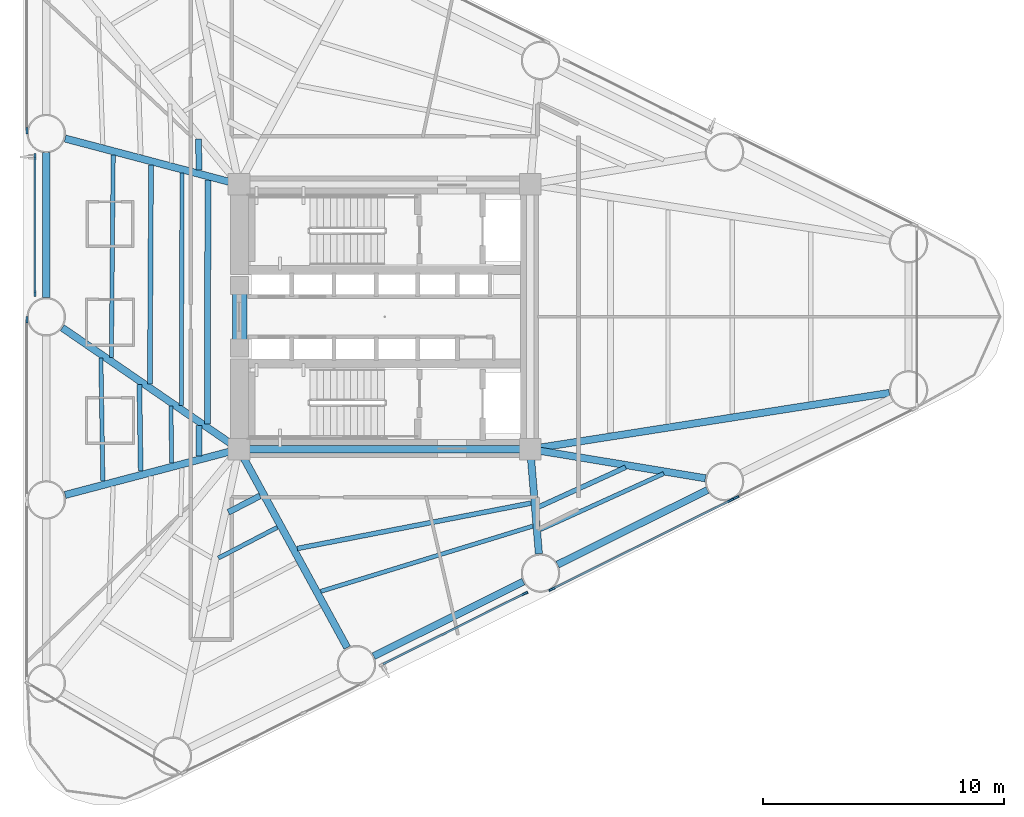
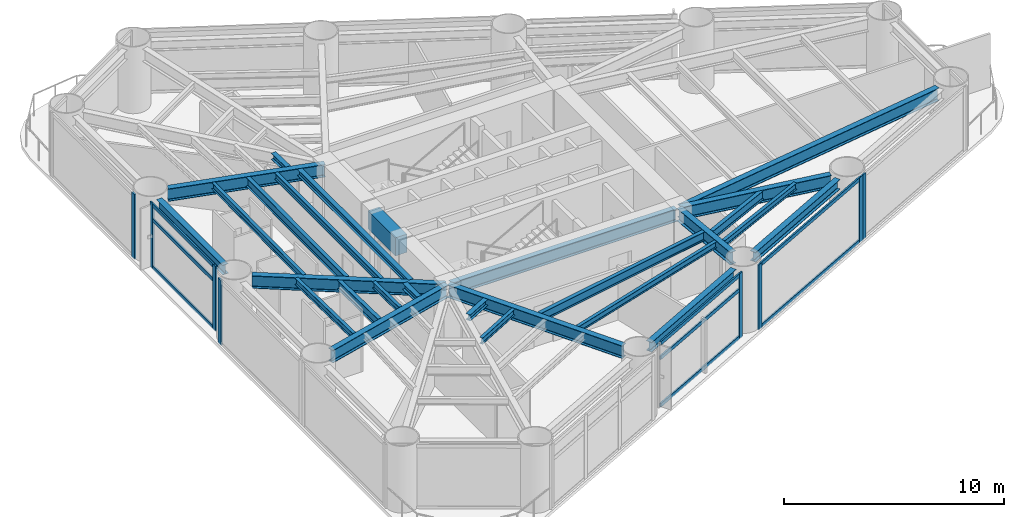
# One storey, part 2 of 10: 27 beams, 16 members, 6 elements without a shape of their own.
"""IFC4 building model written with IfcOpenShell, lengths in metres."""

from ifc_helpers import new_model, si_unit, direction, frame, origin, origin_2d, place, context, subcontext, project, spatial, rectangle, i_section, extrude, source, transform, mapped, material, layer, layer_set, material_profile, profile_set, type_object, element, aggregate, save


model = new_model("IFC4")

# Units and contexts
model_context = context("Model", 3, precision=1e-05, world=origin(), true_north=direction((0.0, 1.0)))
body_context = subcontext(model_context, "Body", "Model", "MODEL_VIEW")
ifc_project = project(units=[si_unit("LENGTHUNIT", "METRE"), si_unit("AREAUNIT", "SQUARE_METRE"), si_unit("VOLUMEUNIT", "CUBIC_METRE"), si_unit("PLANEANGLEUNIT", "RADIAN"), si_unit("MASSUNIT", "GRAM", prefix="KILO")], contexts=[model_context])

# Site, building, storey
site_placement = place(None, origin())
site = spatial("IfcSite", under=ifc_project, at=site_placement, CompositionType="ELEMENT")
building_placement = place(site_placement, origin())
building = spatial("IfcBuilding", under=site, at=building_placement, Name="Yunling Apex Tower", CompositionType="ELEMENT")
storey_placement = place(building_placement, frame((0.0, 0.0, 27.5)))
storey = spatial("IfcBuildingStorey", under=building, at=storey_placement, Name="L08", CompositionType="ELEMENT", Elevation=27.5)

# Beams
ifc_material_1 = material(Name="Concrete C60", Category="concrete")
ifc_material_profile_1 = material_profile(ifc_material_1, rectangle(XDim=0.60009765625, YDim=1.0, at=origin_2d()))
ifc_profile_set_1 = profile_set([ifc_material_profile_1], Name="Concrete C60")
beam_type_1 = type_object("IfcBeamType", Name="BC-CPL-1", PredefinedType="BEAM", material=ifc_profile_set_1)
shared_shape_1 = source(origin(), body_context, "Body", "SweptSolid", [
    extrude(rectangle(XDim=0.60009765625, YDim=1.0, at=origin_2d()), origin(), (0.0, 0.0, 1.0), 2.5),
])
beam_1_placement = place(storey_placement, frame((-6.02490234375, -1.25, 3.014892578125), z_axis=(0.0, 1.0, 0.0), x_axis=(-1.0, 0.0, 0.0)))
element("IfcBeam", 1, at=beam_1_placement, inside=storey, type_object=beam_type_1, Name="L08 Core West Portal Coupling Beam", PredefinedType="BEAM", context=body_context, shape_type="MappedRepresentation", body=[
    mapped(shared_shape_1, transform((0.0, 0.0, 0.0), scale=1.0)),
])
ifc_material_2 = material(Name="Steel Q355B", Category="steel")
ifc_material_profile_2 = material_profile(ifc_material_2, i_section(OverallWidth=0.300048828125, OverallDepth=0.699951171875, WebThickness=0.012939453125, FlangeThickness=0.02392578125, FilletRadius=0.02587890625, at=origin_2d()))
ifc_profile_set_2 = profile_set([ifc_material_profile_2], Name="Steel Q355B")
beam_type_2 = type_object("IfcBeamType", Name="BG-PRI-3", PredefinedType="USERDEFINED", material=ifc_profile_set_2)
shared_shape_2 = source(origin(), body_context, "Body", "SweptSolid", [
    extrude(i_section(OverallWidth=0.300048828125, OverallDepth=0.699951171875, WebThickness=0.012939453125, FlangeThickness=0.02392578125, FilletRadius=0.02587890625, at=origin_2d()), origin(), (0.0, 0.0, 1.0), 11.7998046875),
])
beam_2_placement = place(storey_placement, frame((-5.89990234375, -5.5, 3.1650390625), z_axis=(1.0, 0.0, 0.0), x_axis=(0.0, 1.0, 0.0)))
element("IfcBeam", 2, at=beam_2_placement, inside=storey, type_object=beam_type_2, Name="L08 Core Ring Tie Beam 1", ObjectType="GIRDER", PredefinedType="USERDEFINED", context=body_context, shape_type="MappedRepresentation", body=[
    mapped(shared_shape_2, transform((0.0, 0.0, 0.0), scale=1.0)),
])
ifc_material_profile_3 = material_profile(ifc_material_2, i_section(OverallWidth=0.300048828125, OverallDepth=0.5400390625, WebThickness=0.011962890625, FlangeThickness=0.02001953125, FilletRadius=0.02392578125, at=origin_2d()))
ifc_profile_set_3 = profile_set([ifc_material_profile_3], Name="Steel Q355B")
beam_type_3 = type_object("IfcBeamType", Name="BP-SPN-1", PredefinedType="SPANDREL", material=ifc_profile_set_3)
shared_shape_3 = source(origin(), body_context, "Body", "SweptSolid", [
    extrude(i_section(OverallWidth=0.300048828125, OverallDepth=0.5400390625, WebThickness=0.011962890625, FlangeThickness=0.02001953125, FilletRadius=0.02392578125, at=origin_2d()), origin(), (0.0, 0.0, 1.0), 6.950927734375),
])
beam_3_placement = place(storey_placement, frame((-0.456298828125, -14.099365234375, 3.2451171875), z_axis=(0.895247556401, 0.445569088646, 0.0), x_axis=(-0.445569088646, 0.895247556401, 0.0)))
element("IfcBeam", 3, at=beam_3_placement, inside=storey, type_object=beam_type_3, Name="L08 Perimeter Spandrel Beam 2", PredefinedType="SPANDREL", context=body_context, shape_type="MappedRepresentation", body=[
    mapped(shared_shape_3, transform((0.0, 0.0, 0.0), scale=1.0)),
])
shared_shape_4 = source(origin(), body_context, "Body", "SweptSolid", [
    extrude(i_section(OverallWidth=0.300048828125, OverallDepth=0.5400390625, WebThickness=0.011962890625, FlangeThickness=0.02001953125, FilletRadius=0.02392578125, at=origin_2d()), origin(), (0.0, 0.0, 1.0), 6.95068359375),
])
beam_4_placement = place(storey_placement, frame((7.188232421875, -10.29443359375, 3.2451171875), z_axis=(0.895254593944, 0.445554948375, 0.0), x_axis=(-0.445554948375, 0.895254593944, 0.0)))
element("IfcBeam", 4, at=beam_4_placement, inside=storey, type_object=beam_type_3, Name="L08 Perimeter Spandrel Beam 3", PredefinedType="SPANDREL", context=body_context, shape_type="MappedRepresentation", body=[
    mapped(shared_shape_4, transform((0.0, 0.0, 0.0), scale=1.0)),
])
shared_shape_5 = source(origin(), body_context, "Body", "SweptSolid", [
    extrude(i_section(OverallWidth=0.300048828125, OverallDepth=0.5400390625, WebThickness=0.011962890625, FlangeThickness=0.02001953125, FilletRadius=0.02392578125, at=origin_2d()), origin(), (0.0, 0.0, 1.0), 6.021484375),
])
beam_5_placement = place(storey_placement, frame((-14.052001953125, 6.8154296875, 3.2451171875), z_axis=(0.0, -1.0, 0.0), x_axis=(1.0, 0.0, 0.0)))
element("IfcBeam", 5, at=beam_5_placement, inside=storey, type_object=beam_type_3, Name="L08 Perimeter Spandrel Beam 12", PredefinedType="SPANDREL", context=body_context, shape_type="MappedRepresentation", body=[
    mapped(shared_shape_5, transform((0.0, 0.0, 0.0), scale=1.0)),
])
shared_shape_6 = source(origin(), body_context, "Body", "SweptSolid", [
    extrude(i_section(OverallWidth=0.300048828125, OverallDepth=0.699951171875, WebThickness=0.012939453125, FlangeThickness=0.02392578125, FilletRadius=0.02587890625, at=origin_2d()), origin(), (0.0, 0.0, 1.0), 9.31005859375),
])
beam_6_placement = place(storey_placement, frame((-1.553955078125, -13.74365234375, 3.1650390625), z_axis=(-0.478817221141, 0.877914613581, 0.0), x_axis=(-0.877914613581, -0.478817221141, 0.0)))
element("IfcBeam", 6, at=beam_6_placement, inside=storey, type_object=beam_type_2, Name="L08 Radial Primary Girder R02", ObjectType="GIRDER", PredefinedType="USERDEFINED", context=body_context, shape_type="MappedRepresentation", body=[
    mapped(shared_shape_6, transform((0.0, 0.0, 0.0), scale=1.0)),
])
shared_shape_7 = source(origin(), body_context, "Body", "SweptSolid", [
    extrude(i_section(OverallWidth=0.300048828125, OverallDepth=0.699951171875, WebThickness=0.012939453125, FlangeThickness=0.02392578125, FilletRadius=0.02587890625, at=origin_2d()), origin(), (0.0, 0.0, 1.0), 4.278076171875),
])
beam_7_placement = place(storey_placement, frame((6.41064453125, -9.843017578125, 3.1650390625), z_axis=(-0.082747937789, 0.996570508691, 0.0), x_axis=(-0.996570508691, -0.082747937789, 0.0)))
element("IfcBeam", 7, at=beam_7_placement, inside=storey, type_object=beam_type_2, Name="L08 Radial Primary Girder R03", ObjectType="GIRDER", PredefinedType="USERDEFINED", context=body_context, shape_type="MappedRepresentation", body=[
    mapped(shared_shape_7, transform((0.0, 0.0, 0.0), scale=1.0)),
])
shared_shape_8 = source(origin(), body_context, "Body", "SweptSolid", [
    extrude(i_section(OverallWidth=0.300048828125, OverallDepth=0.699951171875, WebThickness=0.012939453125, FlangeThickness=0.02392578125, FilletRadius=0.02587890625, at=origin_2d()), origin(), (0.0, 0.0, 1.0), 7.294921875),
])
beam_8_placement = place(storey_placement, frame((13.32470703125, -6.7109375, 3.1650390625), z_axis=(-0.98642827455, 0.164192750049, 0.0), x_axis=(-0.164192750049, -0.98642827455, 0.0)))
element("IfcBeam", 8, at=beam_8_placement, inside=storey, type_object=beam_type_2, Name="L08 Radial Primary Girder R04", ObjectType="GIRDER", PredefinedType="USERDEFINED", context=body_context, shape_type="MappedRepresentation", body=[
    mapped(shared_shape_8, transform((0.0, 0.0, 0.0), scale=1.0)),
])
shared_shape_9 = source(origin(), body_context, "Body", "SweptSolid", [
    extrude(i_section(OverallWidth=0.300048828125, OverallDepth=0.699951171875, WebThickness=0.012939453125, FlangeThickness=0.02392578125, FilletRadius=0.02587890625, at=origin_2d()), origin(), (0.0, 0.0, 1.0), 15.02001953125),
])
beam_9_placement = place(storey_placement, frame((20.968017578125, -3.163818359375, 3.1650390625), z_axis=(-0.987959991473, -0.154709583568, 0.0), x_axis=(0.154709583568, -0.987959991473, 0.0)))
element("IfcBeam", 9, at=beam_9_placement, inside=storey, type_object=beam_type_2, Name="L08 Radial Primary Girder R05", ObjectType="GIRDER", PredefinedType="USERDEFINED", context=body_context, shape_type="MappedRepresentation", body=[
    mapped(shared_shape_9, transform((0.0, 0.0, 0.0), scale=1.0)),
])
shared_shape_10 = source(origin(), body_context, "Body", "SweptSolid", [
    extrude(i_section(OverallWidth=0.300048828125, OverallDepth=0.699951171875, WebThickness=0.012939453125, FlangeThickness=0.02392578125, FilletRadius=0.02587890625, at=origin_2d()), origin(), (0.0, 0.0, 1.0), 7.387451171875),
])
for number, where, z_axis, x_axis, name in (
    (10, (-13.270751953125, 7.403564453125, 3.1650390625), (0.966966571797, -0.25490321502, 0.0), (0.25490321502, 0.966966571797, 0.0), "L08 Radial Primary Girder R12"),
    (11, (-13.270751953125, -7.403564453125, 3.1650390625), (0.966966571797, 0.25490321502, 0.0), (-0.25490321502, 0.966966571797, 0.0), "L08 Radial Primary Girder R14"),
):
    element("IfcBeam", number, at=place(storey_placement, frame(where, z_axis=z_axis, x_axis=x_axis)), inside=storey, type_object=beam_type_2, Name=name, ObjectType="GIRDER", PredefinedType="USERDEFINED", context=body_context, shape_type="MappedRepresentation", body=[
        mapped(shared_shape_10, transform((0.0, 0.0, 0.0), scale=1.0)),
    ])
shared_shape_11 = source(origin(), body_context, "Body", "SweptSolid", [
    extrude(i_section(OverallWidth=0.300048828125, OverallDepth=0.699951171875, WebThickness=0.012939453125, FlangeThickness=0.02392578125, FilletRadius=0.02587890625, at=origin_2d()), origin(), (0.0, 0.0, 1.0), 8.821533203125),
])
beam_10_placement = place(storey_placement, frame((-13.385986328125, -0.457763671875, 3.1650390625), z_axis=(0.824111362877, -0.566427807912, 0.0), x_axis=(0.566427807912, 0.824111362877, 0.0)))
element("IfcBeam", 12, at=beam_10_placement, inside=storey, type_object=beam_type_2, Name="L08 Radial Primary Girder R13", ObjectType="GIRDER", PredefinedType="USERDEFINED", context=body_context, shape_type="MappedRepresentation", body=[
    mapped(shared_shape_11, transform((0.0, 0.0, 0.0), scale=1.0)),
])
ifc_material_profile_4 = material_profile(ifc_material_2, i_section(OverallWidth=0.175048828125, OverallDepth=0.35009765625, WebThickness=0.007080078125, FlangeThickness=0.010986328125, FilletRadius=0.013916015625, at=origin_2d()))
ifc_profile_set_4 = profile_set([ifc_material_profile_4], Name="Steel Q355B")
beam_type_4 = type_object("IfcBeamType", Name="BJ-JST-1", PredefinedType="JOIST", material=ifc_profile_set_4)
shared_shape_12 = source(origin(), body_context, "Body", "SweptSolid", [
    extrude(i_section(OverallWidth=0.175048828125, OverallDepth=0.35009765625, WebThickness=0.007080078125, FlangeThickness=0.010986328125, FilletRadius=0.013916015625, at=origin_2d()), origin(), (0.0, 0.0, 1.0), 2.7548828125),
])
beam_11_placement = place(storey_placement, frame((-6.903076171875, -10.0224609375, 3.340087890625), z_axis=(0.886932237595, 0.461899562584, 0.0), x_axis=(-0.461899562584, 0.886932237595, 0.0)))
element("IfcBeam", 13, at=beam_11_placement, inside=storey, type_object=beam_type_4, Name="L08 Composite Floor Joist BJ3-1", PredefinedType="JOIST", context=body_context, shape_type="MappedRepresentation", body=[
    mapped(shared_shape_12, transform((0.0, 0.0, 0.0), scale=1.0)),
])
ifc_material_profile_5 = material_profile(ifc_material_2, i_section(OverallWidth=0.25, OverallDepth=0.340087890625, WebThickness=0.009033203125, FlangeThickness=0.013916015625, FilletRadius=0.01806640625, at=origin_2d()))
ifc_profile_set_5 = profile_set([ifc_material_profile_5], Name="Steel Q355B")
beam_type_5 = type_object("IfcBeamType", Name="BJ-JST-2", PredefinedType="JOIST", material=ifc_profile_set_5)
shared_shape_13 = source(origin(), body_context, "Body", "SweptSolid", [
    extrude(i_section(OverallWidth=0.25, OverallDepth=0.340087890625, WebThickness=0.009033203125, FlangeThickness=0.013916015625, FilletRadius=0.01806640625, at=origin_2d()), origin(), (0.0, 0.0, 1.0), 1.482421875),
])
beam_12_placement = place(storey_placement, frame((-6.490966796875, -8.12060546875, 3.344970703125), z_axis=(0.888960334438, 0.457984196012, 0.0), x_axis=(-0.457984196012, 0.888960334438, 0.0)))
element("IfcBeam", 14, at=beam_12_placement, inside=storey, type_object=beam_type_5, Name="L08 Composite Floor Joist BJ2-1", PredefinedType="JOIST", context=body_context, shape_type="MappedRepresentation", body=[
    mapped(shared_shape_13, transform((0.0, 0.0, 0.0), scale=1.0)),
])
ifc_material_profile_6 = material_profile(ifc_material_2, i_section(OverallWidth=0.199951171875, OverallDepth=0.5, WebThickness=0.010009765625, FlangeThickness=0.01611328125, FilletRadius=0.02001953125, at=origin_2d()))
ifc_profile_set_6 = profile_set([ifc_material_profile_6], Name="Steel Q355B")
beam_type_6 = type_object("IfcBeamType", Name="BS-SEC-2", PredefinedType="BEAM", material=ifc_profile_set_6)
shared_shape_14 = source(origin(), body_context, "Body", "SweptSolid", [
    extrude(i_section(OverallWidth=0.199951171875, OverallDepth=0.5, WebThickness=0.010009765625, FlangeThickness=0.01611328125, FilletRadius=0.02001953125, at=origin_2d()), origin(), (0.0, 0.0, 1.0), 9.883544921875),
])
beam_13_placement = place(storey_placement, frame((-3.625732421875, -9.62646484375, 3.264892578125), z_axis=(0.981653423938, 0.190673950161, 0.0), x_axis=(-0.190673950161, 0.981653423938, 0.0)))
element("IfcBeam", 15, at=beam_13_placement, inside=storey, type_object=beam_type_6, Name="L08 Composite Floor Beam BS-2", PredefinedType="BEAM", context=body_context, shape_type="MappedRepresentation", body=[
    mapped(shared_shape_14, transform((0.0, 0.0, 0.0), scale=1.0)),
])
shared_shape_15 = source(origin(), body_context, "Body", "SweptSolid", [
    extrude(i_section(OverallWidth=0.175048828125, OverallDepth=0.35009765625, WebThickness=0.007080078125, FlangeThickness=0.010986328125, FilletRadius=0.013916015625, at=origin_2d()), origin(), (0.0, 0.0, 1.0), 9.2158203125),
])
beam_14_placement = place(storey_placement, frame((-2.649169921875, -11.407958984375, 3.340087890625), z_axis=(0.955731454849, 0.294240354492, 0.0), x_axis=(-0.294240354492, 0.955731454849, 0.0)))
element("IfcBeam", 16, at=beam_14_placement, inside=storey, type_object=beam_type_4, Name="L08 Composite Floor Joist BJ1-2", PredefinedType="JOIST", context=body_context, shape_type="MappedRepresentation", body=[
    mapped(shared_shape_15, transform((0.0, 0.0, 0.0), scale=1.0)),
])
shared_shape_16 = source(origin(), body_context, "Body", "SweptSolid", [
    extrude(i_section(OverallWidth=0.199951171875, OverallDepth=0.5, WebThickness=0.010009765625, FlangeThickness=0.01611328125, FilletRadius=0.02001953125, at=origin_2d()), origin(), (0.0, 0.0, 1.0), 3.971923828125),
])
beam_15_placement = place(storey_placement, frame((6.400390625, -7.900634765625, 3.264892578125), z_axis=(0.909609234888, 0.415464847858, 0.0), x_axis=(-0.415464847858, 0.909609234888, 0.0)))
element("IfcBeam", 17, at=beam_15_placement, inside=storey, type_object=beam_type_6, Name="L08 Composite Floor Beam BS-3", PredefinedType="BEAM", context=body_context, shape_type="MappedRepresentation", body=[
    mapped(shared_shape_16, transform((0.0, 0.0, 0.0), scale=1.0)),
])
shared_shape_17 = source(origin(), body_context, "Body", "SweptSolid", [
    extrude(i_section(OverallWidth=0.175048828125, OverallDepth=0.35009765625, WebThickness=0.007080078125, FlangeThickness=0.010986328125, FilletRadius=0.013916015625, at=origin_2d()), origin(), (0.0, 0.0, 1.0), 5.62109375),
])
beam_16_placement = place(storey_placement, frame((6.478515625, -8.839111328125, 3.340087890625), z_axis=(0.910411095702, 0.413704770124, 0.0), x_axis=(-0.413704770124, 0.910411095702, 0.0)))
element("IfcBeam", 18, at=beam_16_placement, inside=storey, type_object=beam_type_4, Name="L08 Composite Floor Joist BJ1-3", PredefinedType="JOIST", context=body_context, shape_type="MappedRepresentation", body=[
    mapped(shared_shape_17, transform((0.0, 0.0, 0.0), scale=1.0)),
])
shared_shape_18 = source(origin(), body_context, "Body", "SweptSolid", [
    extrude(i_section(OverallWidth=0.25, OverallDepth=0.340087890625, WebThickness=0.009033203125, FlangeThickness=0.013916015625, FilletRadius=0.01806640625, at=origin_2d()), origin(), (0.0, 0.0, 1.0), 1.294921875),
])
beam_17_placement = place(storey_placement, frame((-7.7333984375, 7.38916015625, 3.344970703125), z_axis=(0.023753431789, -0.999717847434, 0.0), x_axis=(0.999717847434, 0.023753431789, 0.0)))
element("IfcBeam", 19, at=beam_17_placement, inside=storey, type_object=beam_type_5, Name="L08 Composite Floor Joist BJ2-11", PredefinedType="JOIST", context=body_context, shape_type="MappedRepresentation", body=[
    mapped(shared_shape_18, transform((0.0, 0.0, 0.0), scale=1.0)),
])
shared_shape_19 = source(origin(), body_context, "Body", "SweptSolid", [
    extrude(i_section(OverallWidth=0.199951171875, OverallDepth=0.5, WebThickness=0.010009765625, FlangeThickness=0.01611328125, FilletRadius=0.02001953125, at=origin_2d()), origin(), (0.0, 0.0, 1.0), 9.098388671875),
])
beam_18_placement = place(storey_placement, frame((-9.699951171875, 6.302001953125, 3.264892578125), z_axis=(-0.005500909631, -0.999984869882, 0.0), x_axis=(0.999984869882, -0.005500909631, 0.0)))
element("IfcBeam", 20, at=beam_18_placement, inside=storey, type_object=beam_type_6, Name="L08 Composite Floor Beam BS-12", PredefinedType="BEAM", context=body_context, shape_type="MappedRepresentation", body=[
    mapped(shared_shape_19, transform((0.0, 0.0, 0.0), scale=1.0)),
])
shared_shape_20 = source(origin(), body_context, "Body", "SweptSolid", [
    extrude(i_section(OverallWidth=0.175048828125, OverallDepth=0.35009765625, WebThickness=0.007080078125, FlangeThickness=0.010986328125, FilletRadius=0.013916015625, at=origin_2d()), origin(), (0.0, 0.0, 1.0), 8.41357421875),
])
beam_19_placement = place(storey_placement, frame((-11.27197265625, 6.71630859375, 3.340087890625), z_axis=(-0.009169400639, -0.999957960162, 0.0), x_axis=(0.999957960162, -0.009169400639, 0.0)))
element("IfcBeam", 21, at=beam_19_placement, inside=storey, type_object=beam_type_4, Name="L08 Composite Floor Joist BJ1-12", PredefinedType="JOIST", context=body_context, shape_type="MappedRepresentation", body=[
    mapped(shared_shape_20, transform((0.0, 0.0, 0.0), scale=1.0)),
])
shared_shape_21 = source(origin(), body_context, "Body", "SweptSolid", [
    extrude(i_section(OverallWidth=0.175048828125, OverallDepth=0.35009765625, WebThickness=0.007080078125, FlangeThickness=0.010986328125, FilletRadius=0.013916015625, at=origin_2d()), origin(), (0.0, 0.0, 1.0), 9.65869140625),
])
beam_20_placement = place(storey_placement, frame((-8.413818359375, 5.962890625, 3.340087890625), z_axis=(-0.002906817505, -0.999995775197, 0.0), x_axis=(0.999995775197, -0.002906817505, 0.0)))
element("IfcBeam", 22, at=beam_20_placement, inside=storey, type_object=beam_type_4, Name="L08 Composite Floor Joist BJ3-12", PredefinedType="JOIST", context=body_context, shape_type="MappedRepresentation", body=[
    mapped(shared_shape_21, transform((0.0, 0.0, 0.0), scale=1.0)),
])
shared_shape_22 = source(origin(), body_context, "Body", "SweptSolid", [
    extrude(i_section(OverallWidth=0.25, OverallDepth=0.340087890625, WebThickness=0.009033203125, FlangeThickness=0.013916015625, FilletRadius=0.01806640625, at=origin_2d()), origin(), (0.0, 0.0, 1.0), 10.125732421875),
])
beam_21_placement = place(storey_placement, frame((-7.341796875, 5.680419921875, 3.344970703125), z_axis=(-0.000988546835, -0.999999511387, 0.0), x_axis=(0.999999511387, -0.000988546835, 0.0)))
element("IfcBeam", 23, at=beam_21_placement, inside=storey, type_object=beam_type_5, Name="L08 Composite Floor Joist BJ2-12", PredefinedType="JOIST", context=body_context, shape_type="MappedRepresentation", body=[
    mapped(shared_shape_22, transform((0.0, 0.0, 0.0), scale=1.0)),
])
shared_shape_23 = source(origin(), body_context, "Body", "SweptSolid", [
    extrude(i_section(OverallWidth=0.199951171875, OverallDepth=0.5, WebThickness=0.010009765625, FlangeThickness=0.01611328125, FilletRadius=0.02001953125, at=origin_2d()), origin(), (0.0, 0.0, 1.0), 3.59912109375),
])
beam_22_placement = place(storey_placement, frame((-10.184814453125, -2.81640625, 3.264892578125), z_axis=(0.015194989083, -0.999884549489, 0.0), x_axis=(0.999884549489, 0.015194989083, 0.0)))
element("IfcBeam", 24, at=beam_22_placement, inside=storey, type_object=beam_type_6, Name="L08 Composite Floor Beam BS-13", PredefinedType="BEAM", context=body_context, shape_type="MappedRepresentation", body=[
    mapped(shared_shape_23, transform((0.0, 0.0, 0.0), scale=1.0)),
])
shared_shape_24 = source(origin(), body_context, "Body", "SweptSolid", [
    extrude(i_section(OverallWidth=0.175048828125, OverallDepth=0.35009765625, WebThickness=0.007080078125, FlangeThickness=0.010986328125, FilletRadius=0.013916015625, at=origin_2d()), origin(), (0.0, 0.0, 1.0), 5.11279296875),
])
beam_23_placement = place(storey_placement, frame((-11.7841796875, -1.717041015625, 3.340087890625), z_axis=(0.016092285311, -0.999870510793, 0.0), x_axis=(0.999870510793, 0.016092285311, 0.0)))
element("IfcBeam", 25, at=beam_23_placement, inside=storey, type_object=beam_type_4, Name="L08 Composite Floor Joist BJ1-13", PredefinedType="JOIST", context=body_context, shape_type="MappedRepresentation", body=[
    mapped(shared_shape_24, transform((0.0, 0.0, 0.0), scale=1.0)),
])
shared_shape_25 = source(origin(), body_context, "Body", "SweptSolid", [
    extrude(i_section(OverallWidth=0.175048828125, OverallDepth=0.35009765625, WebThickness=0.007080078125, FlangeThickness=0.010986328125, FilletRadius=0.013916015625, at=origin_2d()), origin(), (0.0, 0.0, 1.0), 2.3603515625),
])
beam_24_placement = place(storey_placement, frame((-8.87646484375, -3.7158203125, 3.340087890625), z_axis=(0.013756844339, -0.99990537014, 0.0), x_axis=(0.99990537014, 0.013756844339, 0.0)))
element("IfcBeam", 26, at=beam_24_placement, inside=storey, type_object=beam_type_4, Name="L08 Composite Floor Joist BJ3-13", PredefinedType="JOIST", context=body_context, shape_type="MappedRepresentation", body=[
    mapped(shared_shape_25, transform((0.0, 0.0, 0.0), scale=1.0)),
])
shared_shape_26 = source(origin(), body_context, "Body", "SweptSolid", [
    extrude(i_section(OverallWidth=0.25, OverallDepth=0.340087890625, WebThickness=0.009033203125, FlangeThickness=0.013916015625, FilletRadius=0.01806640625, at=origin_2d()), origin(), (0.0, 0.0, 1.0), 1.25927734375),
])
beam_25_placement = place(storey_placement, frame((-7.713623046875, -4.515380859375, 3.344970703125), z_axis=(0.010274758105, -0.99994721328, 0.0), x_axis=(0.99994721328, 0.010274758105, 0.0)))
element("IfcBeam", 27, at=beam_25_placement, inside=storey, type_object=beam_type_5, Name="L08 Composite Floor Joist BJ2-13", PredefinedType="JOIST", context=body_context, shape_type="MappedRepresentation", body=[
    mapped(shared_shape_26, transform((0.0, 0.0, 0.0), scale=1.0)),
])

# Curtain wall, member
ifc_material_3 = material(Name="Bronze anodised aluminium", Category="aluminium")
ifc_layer = layer(ifc_material_3, 0.260009765625)
ifc_layer_set = layer_set([ifc_layer], Name="Bronze anodised aluminium")
curtain_wall_type = type_object("IfcCurtainWallType", Name="CW-SYS-2", PredefinedType="NOTDEFINED", material=ifc_layer_set)
curtain_wall_1_placement = place(storey_placement, origin())
curtain_wall_1 = element("IfcCurtainWall", 28, at=curtain_wall_1_placement, inside=storey, type_object=curtain_wall_type, Name="CW-L08-F1-B2", PredefinedType="NOTDEFINED")
ifc_material_profile_7 = material_profile(ifc_material_3, rectangle(XDim=0.0849609375, YDim=0.260009765625, at=origin_2d()))
ifc_profile_set_7 = profile_set([ifc_material_profile_7], Name="Bronze anodised aluminium")
member_type_1 = type_object("IfcMemberType", Name="CW-MUL-2", PredefinedType="MULLION", material=ifc_profile_set_7)
shared_shape_27 = source(origin(), body_context, "Body", "SweptSolid", [
    extrude(rectangle(XDim=0.0849609375, YDim=0.260009765625, at=origin_2d()), origin(), (0.0, 0.0, 1.0), 3.614990234375),
])
member_1_placement = place(storey_placement, frame((5.8251953125, -11.498046875, -0.050048828125), z_axis=(0.0, 0.0, 1.0), x_axis=(-0.445582781121, 0.895240741459, 0.0)))
member_1 = element("IfcMember", 29, at=member_1_placement, type_object=member_type_1, Name="CW-SYS-2 mullion 2", PredefinedType="MULLION", context=body_context, shape_type="MappedRepresentation", body=[
    mapped(shared_shape_27, transform((0.0, 0.0, 0.0), scale=1.0)),
])

# Curtain wall, members
curtain_wall_2_placement = place(storey_placement, origin())
curtain_wall_2 = element("IfcCurtainWall", 30, at=curtain_wall_2_placement, inside=storey, type_object=curtain_wall_type, Name="CW-L08-F1-B3", PredefinedType="NOTDEFINED")
member_2_placement = place(storey_placement, frame((6.947998046875, -11.31884765625, -0.050048828125), z_axis=(0.0, 0.0, 1.0), x_axis=(-0.445570625003, 0.895246791748, 0.0)))
member_2 = element("IfcMember", 31, at=member_2_placement, type_object=member_type_1, Name="CW-SYS-2 mullion 1", PredefinedType="MULLION", context=body_context, shape_type="MappedRepresentation", body=[
    mapped(shared_shape_27, transform((0.0, 0.0, 0.0), scale=1.0)),
])
member_3_placement = place(storey_placement, frame((14.373046875, -7.623291015625, -0.050048828125), z_axis=(0.0, 0.0, 1.0), x_axis=(-0.445570625003, 0.895246791748, 0.0)))
member_3 = element("IfcMember", 32, at=member_3_placement, type_object=member_type_1, Name="CW-SYS-2 mullion 2", PredefinedType="MULLION", context=body_context, shape_type="MappedRepresentation", body=[
    mapped(shared_shape_27, transform((0.0, 0.0, 0.0), scale=1.0)),
])

# Curtain wall, member
curtain_wall_3_placement = place(storey_placement, origin())
curtain_wall_3 = element("IfcCurtainWall", 33, at=curtain_wall_3_placement, inside=storey, type_object=curtain_wall_type, Name="CW-L08-F1-B4", PredefinedType="NOTDEFINED")
member_4_placement = place(storey_placement, frame((14.59228515625, -7.51416015625, -0.050048828125), z_axis=(0.0, 0.0, 1.0), x_axis=(-0.445580190214, 0.895242031011, 0.0)))
member_4 = element("IfcMember", 34, at=member_4_placement, type_object=member_type_1, Name="CW-SYS-2 mullion 1", PredefinedType="MULLION", context=body_context, shape_type="MappedRepresentation", body=[
    mapped(shared_shape_27, transform((0.0, 0.0, 0.0), scale=1.0)),
])
aggregate(curtain_wall_3, [member_4])

curtain_wall_4_placement = place(storey_placement, origin())
curtain_wall_4 = element("IfcCurtainWall", 35, at=curtain_wall_4_placement, inside=storey, type_object=curtain_wall_type, Name="CW-L08-F3-B1", PredefinedType="NOTDEFINED")
member_5_placement = place(storey_placement, frame((-14.862060546875, 7.73193359375, -0.050048828125), z_axis=(0.0, 0.0, 1.0), x_axis=(1.0, 0.0, 0.0)))
member_5 = element("IfcMember", 36, at=member_5_placement, type_object=member_type_1, Name="CW-SYS-2 mullion 2", PredefinedType="MULLION", context=body_context, shape_type="MappedRepresentation", body=[
    mapped(shared_shape_27, transform((0.0, 0.0, 0.0), scale=1.0)),
])
aggregate(curtain_wall_4, [member_5])

# Curtain wall, members
curtain_wall_5_placement = place(storey_placement, origin())
curtain_wall_5 = element("IfcCurtainWall", 37, at=curtain_wall_5_placement, inside=storey, type_object=curtain_wall_type, Name="CW-L08-F3-B2", PredefinedType="NOTDEFINED")
member_6_placement = place(storey_placement, frame((-14.52197265625, 6.64697265625, -0.050048828125), z_axis=(0.0, 0.0, 1.0), x_axis=(1.0, 0.0, 0.0)))
member_6 = element("IfcMember", 38, at=member_6_placement, type_object=member_type_1, Name="CW-SYS-2 mullion 1", PredefinedType="MULLION", context=body_context, shape_type="MappedRepresentation", body=[
    mapped(shared_shape_27, transform((0.0, 0.0, 0.0), scale=1.0)),
])
member_7_placement = place(storey_placement, frame((-14.52197265625, 0.96240234375, -0.050048828125), z_axis=(0.0, 0.0, 1.0), x_axis=(1.0, 0.0, 0.0)))
member_7 = element("IfcMember", 39, at=member_7_placement, type_object=member_type_1, Name="CW-SYS-2 mullion 2", PredefinedType="MULLION", context=body_context, shape_type="MappedRepresentation", body=[
    mapped(shared_shape_27, transform((0.0, 0.0, 0.0), scale=1.0)),
])

# Curtain wall, member
curtain_wall_6_placement = place(storey_placement, origin())
curtain_wall_6 = element("IfcCurtainWall", 40, at=curtain_wall_6_placement, inside=storey, type_object=curtain_wall_type, Name="CW-L08-F3-B3", PredefinedType="NOTDEFINED")
member_8_placement = place(storey_placement, frame((-14.862060546875, -0.12255859375, -0.050048828125), z_axis=(0.0, 0.0, 1.0), x_axis=(1.0, 0.0, 0.0)))
member_8 = element("IfcMember", 41, at=member_8_placement, type_object=member_type_1, Name="CW-SYS-2 mullion 1", PredefinedType="MULLION", context=body_context, shape_type="MappedRepresentation", body=[
    mapped(shared_shape_27, transform((0.0, 0.0, 0.0), scale=1.0)),
])
aggregate(curtain_wall_6, [member_8])

# Member
ifc_material_profile_8 = material_profile(ifc_material_3, rectangle(XDim=0.0849609375, YDim=0.199951171875, at=origin_2d()))
ifc_profile_set_8 = profile_set([ifc_material_profile_8], Name="Bronze anodised aluminium")
member_type_2 = type_object("IfcMemberType", Name="CW-TRN-2", PredefinedType="USERDEFINED", material=ifc_profile_set_8)
shared_shape_28 = source(origin(), body_context, "Body", "SweptSolid", [
    extrude(rectangle(XDim=0.0849609375, YDim=0.199951171875, at=origin_2d()), origin(), (0.0, 0.0, 1.0), 8.217529296875),
])
member_9_placement = place(storey_placement, frame((6.982177734375, -11.3017578125, 0.04248046875), z_axis=(0.895251603772, 0.445560956485, 0.0), x_axis=(-0.445560956485, 0.895251603772, 0.0)))
member_9 = element("IfcMember", 42, at=member_9_placement, type_object=member_type_2, Name="CW-SYS-2 transom 1.1", ObjectType="TRANSOM", PredefinedType="USERDEFINED", context=body_context, shape_type="MappedRepresentation", body=[
    mapped(shared_shape_28, transform((0.0, 0.0, 0.0), scale=1.0)),
])

member_10_placement = place(storey_placement, frame((6.982177734375, -11.3017578125, 3.472412109375), z_axis=(0.895251603772, 0.445560956485, 0.0), x_axis=(-0.445560956485, 0.895251603772, 0.0)))
member_10 = element("IfcMember", 43, at=member_10_placement, type_object=member_type_2, Name="CW-SYS-2 transom 1.2", ObjectType="TRANSOM", PredefinedType="USERDEFINED", context=body_context, shape_type="MappedRepresentation", body=[
    mapped(shared_shape_28, transform((0.0, 0.0, 0.0), scale=1.0)),
])

aggregate(curtain_wall_2, [member_2, member_3, member_9, member_10])

shared_shape_29 = source(origin(), body_context, "Body", "SweptSolid", [
    extrude(rectangle(XDim=0.0849609375, YDim=0.199951171875, at=origin_2d()), origin(), (0.0, 0.0, 1.0), 6.53759765625),
])
member_11_placement = place(storey_placement, frame((-0.061767578125, -14.427978515625, 0.04248046875), z_axis=(0.89523980106, 0.445584670515, 0.0), x_axis=(-0.445584670515, 0.89523980106, 0.0)))
member_11 = element("IfcMember", 44, at=member_11_placement, type_object=member_type_2, Name="CW-SYS-2 transom 1.1", ObjectType="TRANSOM", PredefinedType="USERDEFINED", context=body_context, shape_type="MappedRepresentation", body=[
    mapped(shared_shape_29, transform((0.0, 0.0, 0.0), scale=1.0)),
])

member_12_placement = place(storey_placement, frame((-0.061767578125, -14.427978515625, 2.67138671875), z_axis=(0.89523980106, 0.445584670515, 0.0), x_axis=(-0.445584670515, 0.89523980106, 0.0)))
member_12 = element("IfcMember", 45, at=member_12_placement, type_object=member_type_2, Name="CW-SYS-2 transom 1.2", ObjectType="TRANSOM", PredefinedType="USERDEFINED", context=body_context, shape_type="MappedRepresentation", body=[
    mapped(shared_shape_29, transform((0.0, 0.0, 0.0), scale=1.0)),
])

member_13_placement = place(storey_placement, frame((-0.061767578125, -14.427978515625, 3.472412109375), z_axis=(0.89523980106, 0.445584670515, 0.0), x_axis=(-0.445584670515, 0.89523980106, 0.0)))
member_13 = element("IfcMember", 46, at=member_13_placement, type_object=member_type_2, Name="CW-SYS-2 transom 1.3", ObjectType="TRANSOM", PredefinedType="USERDEFINED", context=body_context, shape_type="MappedRepresentation", body=[
    mapped(shared_shape_29, transform((0.0, 0.0, 0.0), scale=1.0)),
])

aggregate(curtain_wall_1, [member_1, member_11, member_12, member_13])

shared_shape_30 = source(origin(), body_context, "Body", "SweptSolid", [
    extrude(rectangle(XDim=0.0849609375, YDim=0.199951171875, at=origin_2d()), origin(), (0.0, 0.0, 1.0), 5.60791015625),
])
member_14_placement = place(storey_placement, frame((-14.52197265625, 6.608642578125, 0.04248046875), z_axis=(0.0, -1.0, 0.0), x_axis=(1.0, 0.0, 0.0)))
member_14 = element("IfcMember", 47, at=member_14_placement, type_object=member_type_2, Name="CW-SYS-2 transom 1.1", ObjectType="TRANSOM", PredefinedType="USERDEFINED", context=body_context, shape_type="MappedRepresentation", body=[
    mapped(shared_shape_30, transform((0.0, 0.0, 0.0), scale=1.0)),
])

member_15_placement = place(storey_placement, frame((-14.52197265625, 6.608642578125, 2.67138671875), z_axis=(0.0, -1.0, 0.0), x_axis=(1.0, 0.0, 0.0)))
member_15 = element("IfcMember", 48, at=member_15_placement, type_object=member_type_2, Name="CW-SYS-2 transom 1.2", ObjectType="TRANSOM", PredefinedType="USERDEFINED", context=body_context, shape_type="MappedRepresentation", body=[
    mapped(shared_shape_30, transform((0.0, 0.0, 0.0), scale=1.0)),
])

member_16_placement = place(storey_placement, frame((-14.52197265625, 6.608642578125, 3.472412109375), z_axis=(0.0, -1.0, 0.0), x_axis=(1.0, 0.0, 0.0)))
member_16 = element("IfcMember", 49, at=member_16_placement, type_object=member_type_2, Name="CW-SYS-2 transom 1.3", ObjectType="TRANSOM", PredefinedType="USERDEFINED", context=body_context, shape_type="MappedRepresentation", body=[
    mapped(shared_shape_30, transform((0.0, 0.0, 0.0), scale=1.0)),
])

aggregate(curtain_wall_5, [member_6, member_7, member_14, member_15, member_16])

save(model, "model.ifc")
